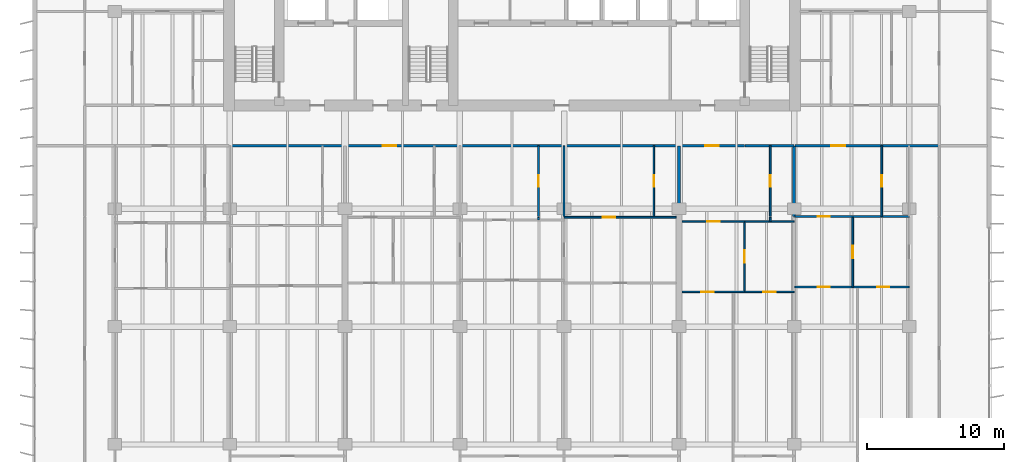
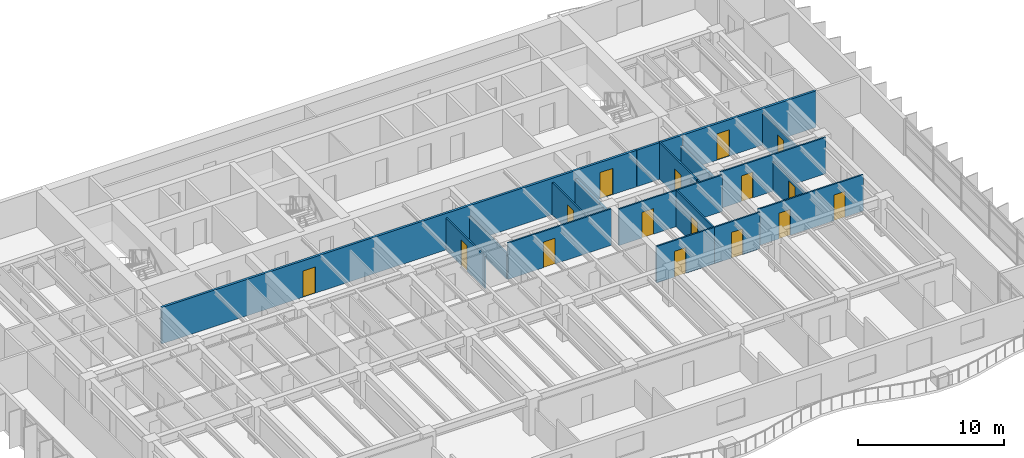
# One storey, part 8 of 15: 21 walls, 16 doors, 16 openings.
"""IFC4 building model written with IfcOpenShell, lengths in metres."""

from ifc_helpers import new_model, si_unit, direction, frame, frame_2d, origin, place, context, subcontext, project, spatial, rectangle, extrude, material, layer, layer_set, type_object, element, fill, save


model = new_model("IFC4")

# Units and contexts
model_context = context("Model", 3, precision=1e-05, world=origin(), true_north=direction((0.0, 1.0)))
body_context = subcontext(model_context, "Body", "Model", "MODEL_VIEW")
ifc_project = project(units=[si_unit("LENGTHUNIT", "METRE"), si_unit("AREAUNIT", "SQUARE_METRE"), si_unit("VOLUMEUNIT", "CUBIC_METRE"), si_unit("PLANEANGLEUNIT", "RADIAN"), si_unit("MASSUNIT", "GRAM", prefix="KILO")], contexts=[model_context])

# Site, building, storey
site_placement = place(None, origin())
site = spatial("IfcSite", under=ifc_project, at=site_placement, CompositionType="ELEMENT")
building_placement = place(site_placement, origin())
building = spatial("IfcBuilding", under=site, at=building_placement, Name="Caelmar Bay Residences", CompositionType="ELEMENT")
storey_placement = place(building_placement, frame((0.0, 0.0, 135.60009765625)))
storey = spatial("IfcBuildingStorey", under=building, at=storey_placement, Name="L37", CompositionType="ELEMENT", Elevation=135.60009765625)

# Wall, openings, doors
ifc_material_1 = material(Name="Double-stud acoustic fire-rated gypsum partition 180 mm")
ifc_layer_1 = layer(ifc_material_1, 0.179931640625)
ifc_layer_set_1 = layer_set([ifc_layer_1], Name="Double-stud acoustic fire-rated gypsum partition 180 mm")
wall_type_1 = type_object("IfcWallType", Name="W-COR-200", PredefinedType="PARTITIONING", material=ifc_layer_set_1)
wall_1_placement = place(storey_placement, frame((18.300048828125, 34.0, 0.0), z_axis=(0.0, 0.0, 1.0), x_axis=(1.0, 0.0, 0.0)))
wall_1 = element("IfcWall", 1, at=wall_1_placement, inside=storey, type_object=wall_type_1, Name="L37 Partition Wall H094", PredefinedType="PARTITIONING", context=body_context, shape_type="SweptSolid", body=[
    extrude(rectangle(XDim=37.5859375, YDim=0.179931640625, at=frame_2d((18.79296875, 0.0))), origin(), (0.0, 0.0, 1.0), 3.0498046875),
])
opening_1_placement = place(wall_1_placement, frame((11.16162109375, 0.0, 0.0)))
opening_1 = element("IfcOpeningElement", 2, at=opening_1_placement, cuts=wall_1, Name="Opening D-L37-131", PredefinedType="OPENING", context=body_context, shape_type="SweptSolid", body=[
    extrude(rectangle(XDim=1.0, YDim=2.199951171875, at=frame_2d((0.5, 1.10009765625))), frame((0.0, 0.099853515625, 0.0), z_axis=(0.0, -1.0, 0.0), x_axis=(1.0, 0.0, 0.0)), (0.0, 0.0, 1.0), 0.199951171875),
])
opening_2_placement = place(wall_1_placement, frame((34.693115234375, 0.0, 0.0)))
opening_2 = element("IfcOpeningElement", 3, at=opening_2_placement, cuts=wall_1, Name="Opening D-L37-146", PredefinedType="OPENING", context=body_context, shape_type="SweptSolid", body=[
    extrude(rectangle(XDim=1.0, YDim=2.199951171875, at=frame_2d((0.5, 1.10009765625))), frame((0.0, 0.099853515625, 0.0), z_axis=(0.0, -1.0, 0.0), x_axis=(1.0, 0.0, 0.0)), (0.0, 0.0, 1.0), 0.199951171875),
])
ifc_material_2 = material(Name="Fire-rated steel and walnut architectural door assembly", Category="steel")
ifc_layer_2 = layer(ifc_material_2, 0.050048828125)
ifc_layer_set_2 = layer_set([ifc_layer_2], Name="Fire-rated steel and walnut architectural door assembly")
door_type_1 = type_object("IfcDoorType", Name="D-UNIT-1000", OperationType="NOTDEFINED", PredefinedType="DOOR", material=ifc_layer_set_2)
door_1_placement = place(opening_1_placement, origin())
door_1 = element("IfcDoor", 4, at=door_1_placement, inside=storey, type_object=door_type_1, Name="L37 Residence 02 Apartment Hall Door", OperationType="SINGLE_SWING_RIGHT", OverallHeight=2.199951171875, OverallWidth=1.0, PredefinedType="DOOR", context=body_context, shape_type="SweptSolid", body=[
    extrude(rectangle(XDim=1.0, YDim=2.199951171875, at=frame_2d((0.5, 1.10009765625))), frame((0.0, 0.02490234375, 0.0), z_axis=(0.0, -1.0, 0.0), x_axis=(1.0, 0.0, 0.0)), (0.0, 0.0, 1.0), 0.050048828125),
])
fill(opening_1, door_1)
door_2_placement = place(opening_2_placement, origin())
door_2 = element("IfcDoor", 5, at=door_2_placement, inside=storey, type_object=door_type_1, Name="L37 Residence 03 Apartment Hall Door", OperationType="SINGLE_SWING_LEFT", OverallHeight=2.199951171875, OverallWidth=1.0, PredefinedType="DOOR", context=body_context, shape_type="SweptSolid", body=[
    extrude(rectangle(XDim=1.0, YDim=2.199951171875, at=frame_2d((0.5, 1.10009765625))), frame((0.0, 0.02490234375, 0.0), z_axis=(0.0, -1.0, 0.0), x_axis=(1.0, 0.0, 0.0)), (0.0, 0.0, 1.0), 0.050048828125),
])
fill(opening_2, door_2)

# Wall
wall_2_placement = place(storey_placement, frame((55.89990234375, 34.0, 0.0), z_axis=(0.0, 0.0, 1.0), x_axis=(1.0, 0.0, 0.0)))
element("IfcWall", 6, at=wall_2_placement, inside=storey, type_object=wall_type_1, Name="L37 Partition Wall H095", PredefinedType="PARTITIONING", context=body_context, shape_type="SweptSolid", body=[
    extrude(rectangle(XDim=3.60009765625, YDim=0.179931640625, at=frame_2d((1.800048828125, 0.0))), origin(), (0.0, 0.0, 1.0), 3.0498046875),
])

# Wall, opening, door
wall_3_placement = place(storey_placement, frame((59.550048828125, 34.0, 0.0), z_axis=(0.0, 0.0, 1.0), x_axis=(1.0, 0.0, 0.0)))
wall_3 = element("IfcWall", 7, at=wall_3_placement, inside=storey, type_object=wall_type_1, Name="L37 Partition Wall H096", PredefinedType="PARTITIONING", context=body_context, shape_type="SweptSolid", body=[
    extrude(rectangle(XDim=10.550048828125, YDim=0.179931640625, at=frame_2d((5.27490234375, 0.0))), origin(), (0.0, 0.0, 1.0), 3.0498046875),
])
opening_3_placement = place(wall_3_placement, frame((2.677001953125, 0.0, 0.0)))
opening_3 = element("IfcOpeningElement", 8, at=opening_3_placement, cuts=wall_3, Name="Opening D-L37-153", PredefinedType="OPENING", context=body_context, shape_type="SweptSolid", body=[
    extrude(rectangle(XDim=1.0, YDim=2.199951171875, at=frame_2d((0.5, 1.10009765625))), frame((0.0, 0.099853515625, 0.0), z_axis=(0.0, -1.0, 0.0), x_axis=(1.0, 0.0, 0.0)), (0.0, 0.0, 1.0), 0.199951171875),
])
door_3_placement = place(opening_3_placement, origin())
door_3 = element("IfcDoor", 9, at=door_3_placement, inside=storey, type_object=door_type_1, Name="L37 Residence 04 Apartment Hall Door", OperationType="SINGLE_SWING_RIGHT", OverallHeight=2.199951171875, OverallWidth=1.0, PredefinedType="DOOR", context=body_context, shape_type="SweptSolid", body=[
    extrude(rectangle(XDim=1.0, YDim=2.199951171875, at=frame_2d((0.5, 1.10009765625))), frame((0.0, 0.02490234375, 0.0), z_axis=(0.0, -1.0, 0.0), x_axis=(1.0, 0.0, 0.0)), (0.0, 0.0, 1.0), 0.050048828125),
])
fill(opening_3, door_3)

# Wall
ifc_material_3 = material(Name="Acoustic metal-stud gypsum partition 120 mm")
ifc_layer_3 = layer(ifc_material_3, 0.1201171875)
ifc_layer_set_3 = layer_set([ifc_layer_3], Name="Acoustic metal-stud gypsum partition 120 mm")
wall_type_2 = type_object("IfcWallType", Name="W-PRT-120", PredefinedType="PARTITIONING", material=ifc_layer_set_3)
wall_4_placement = place(storey_placement, frame((40.8369140625, 28.580078125, 0.0), z_axis=(0.0, 0.0, 1.0), x_axis=(0.0, 1.0, 0.0)))
element("IfcWall", 10, at=wall_4_placement, inside=storey, type_object=wall_type_2, Name="L37 Partition Wall V033", PredefinedType="PARTITIONING", context=body_context, shape_type="SweptSolid", body=[
    extrude(rectangle(XDim=0.199951171875, YDim=0.1201171875, at=frame_2d((0.10009765625, 0.0))), origin(), (0.0, 0.0, 1.0), 2.678955078125),
])

# Wall, opening, door
wall_5_placement = place(storey_placement, frame((40.8369140625, 28.840087890625, 0.0), z_axis=(0.0, 0.0, 1.0), x_axis=(0.0, 1.0, 0.0)))
wall_5 = element("IfcWall", 11, at=wall_5_placement, inside=storey, type_object=wall_type_2, Name="L37 Partition Wall V034", PredefinedType="PARTITIONING", context=body_context, shape_type="SweptSolid", body=[
    extrude(rectangle(XDim=5.159912109375, YDim=0.1201171875, at=frame_2d((2.580078125, 0.0))), origin(), (0.0, 0.0, 1.0), 2.678955078125),
])
opening_4_placement = place(wall_5_placement, frame((2.155029296875, 0.0, 0.0)))
opening_4 = element("IfcOpeningElement", 12, at=opening_4_placement, cuts=wall_5, Name="Opening D-L37-138", PredefinedType="OPENING", context=body_context, shape_type="SweptSolid", body=[
    extrude(rectangle(XDim=0.85009765625, YDim=2.10009765625, at=frame_2d((0.425048828125, 1.050048828125))), frame((0.0, 0.070068359375, 0.0), z_axis=(0.0, -1.0, 0.0), x_axis=(1.0, 0.0, 0.0)), (0.0, 0.0, 1.0), 0.14013671875),
])
ifc_material_4 = material(Name="Solid walnut timber interior door leaf and frame", Category="wood")
ifc_layer_4 = layer(ifc_material_4, 0.050048828125)
ifc_layer_set_4 = layer_set([ifc_layer_4], Name="Solid walnut timber interior door leaf and frame")
door_type_2 = type_object("IfcDoorType", Name="D-BATH-850", OperationType="NOTDEFINED", PredefinedType="DOOR", material=ifc_layer_set_4)
door_4_placement = place(opening_4_placement, origin())
door_4 = element("IfcDoor", 13, at=door_4_placement, inside=storey, type_object=door_type_2, Name="L37 Residence 02 En-Suite Bathroom 1 Door", OperationType="SINGLE_SWING_LEFT", OverallHeight=2.10009765625, OverallWidth=0.85009765625, PredefinedType="DOOR", context=body_context, shape_type="SweptSolid", body=[
    extrude(rectangle(XDim=0.85009765625, YDim=2.10009765625, at=frame_2d((0.425048828125, 1.050048828125))), frame((0.0, 0.02490234375, 0.0), z_axis=(0.0, -1.0, 0.0), x_axis=(1.0, 0.0, 0.0)), (0.0, 0.0, 1.0), 0.050048828125),
])
fill(opening_4, door_4)

# Wall
wall_6_placement = place(storey_placement, frame((42.699951171875, 28.840087890625, 0.0), z_axis=(0.0, 0.0, 1.0), x_axis=(0.0, 1.0, 0.0)))
element("IfcWall", 14, at=wall_6_placement, inside=storey, type_object=wall_type_2, Name="L37 Partition Wall V037", PredefinedType="PARTITIONING", context=body_context, shape_type="SweptSolid", body=[
    extrude(rectangle(XDim=5.159912109375, YDim=0.1201171875, at=frame_2d((2.580078125, 0.0))), origin(), (0.0, 0.0, 1.0), 2.173828125),
])

# Wall, opening, door
wall_7_placement = place(storey_placement, frame((49.260986328125, 28.840087890625, 0.0), z_axis=(0.0, 0.0, 1.0), x_axis=(0.0, 1.0, 0.0)))
wall_7 = element("IfcWall", 15, at=wall_7_placement, inside=storey, type_object=wall_type_2, Name="L37 Partition Wall V041", PredefinedType="PARTITIONING", context=body_context, shape_type="SweptSolid", body=[
    extrude(rectangle(XDim=5.159912109375, YDim=0.1201171875, at=frame_2d((2.580078125, 0.0))), origin(), (0.0, 0.0, 1.0), 2.678955078125),
])
opening_5_placement = place(wall_7_placement, frame((2.155029296875, 0.0, 0.0)))
opening_5 = element("IfcOpeningElement", 16, at=opening_5_placement, cuts=wall_7, Name="Opening D-L37-143", PredefinedType="OPENING", context=body_context, shape_type="SweptSolid", body=[
    extrude(rectangle(XDim=0.85009765625, YDim=2.10009765625, at=frame_2d((0.425048828125, 1.050048828125))), frame((0.0, 0.070068359375, 0.0), z_axis=(0.0, -1.0, 0.0), x_axis=(1.0, 0.0, 0.0)), (0.0, 0.0, 1.0), 0.14013671875),
])
door_5_placement = place(opening_5_placement, origin())
door_5 = element("IfcDoor", 17, at=door_5_placement, inside=storey, type_object=door_type_2, Name="L37 Residence 02 En-Suite Bathroom 2 Door", OperationType="SINGLE_SWING_RIGHT", OverallHeight=2.10009765625, OverallWidth=0.85009765625, PredefinedType="DOOR", context=body_context, shape_type="SweptSolid", body=[
    extrude(rectangle(XDim=0.85009765625, YDim=2.10009765625, at=frame_2d((0.425048828125, 1.050048828125))), frame((0.0, 0.02490234375, 0.0), z_axis=(0.0, -1.0, 0.0), x_axis=(1.0, 0.0, 0.0)), (0.0, 0.0, 1.0), 0.050048828125),
])
fill(opening_5, door_5)

wall_8_placement = place(storey_placement, frame((55.885986328125, 23.330078125, 0.0), z_axis=(0.0, 0.0, 1.0), x_axis=(0.0, 1.0, 0.0)))
wall_8 = element("IfcWall", 18, at=wall_8_placement, inside=storey, type_object=wall_type_2, Name="L37 Partition Wall V050", PredefinedType="PARTITIONING", context=body_context, shape_type="SweptSolid", body=[
    extrude(rectangle(XDim=5.14990234375, YDim=0.1201171875, at=frame_2d((2.574951171875, 0.0))), origin(), (0.0, 0.0, 1.0), 3.0498046875),
])
opening_6_placement = place(wall_8_placement, frame((2.125, 0.0, 0.0)))
opening_6 = element("IfcOpeningElement", 19, at=opening_6_placement, cuts=wall_8, Name="Opening D-L37-149", PredefinedType="OPENING", context=body_context, shape_type="SweptSolid", body=[
    extrude(rectangle(XDim=0.89990234375, YDim=2.14990234375, at=frame_2d((0.449951171875, 1.074951171875))), frame((0.0, 0.070068359375, 0.0), z_axis=(0.0, -1.0, 0.0), x_axis=(1.0, 0.0, 0.0)), (0.0, 0.0, 1.0), 0.14013671875),
])
ifc_layer_5 = layer(ifc_material_4, 0.050048828125)
ifc_layer_set_5 = layer_set([ifc_layer_5], Name="Solid walnut timber interior door leaf and frame")
door_type_3 = type_object("IfcDoorType", Name="D-ROOM-900", OperationType="NOTDEFINED", PredefinedType="DOOR", material=ifc_layer_set_5)
door_6_placement = place(opening_6_placement, origin())
door_6 = element("IfcDoor", 20, at=door_6_placement, inside=storey, type_object=door_type_3, Name="L37 Residence 03 Private Reception Salon Door", OperationType="SINGLE_SWING_RIGHT", OverallHeight=2.14990234375, OverallWidth=0.89990234375, PredefinedType="DOOR", context=body_context, shape_type="SweptSolid", body=[
    extrude(rectangle(XDim=0.89990234375, YDim=2.14990234375, at=frame_2d((0.449951171875, 1.074951171875))), frame((0.0, 0.02490234375, 0.0), z_axis=(0.0, -1.0, 0.0), x_axis=(1.0, 0.0, 0.0)), (0.0, 0.0, 1.0), 0.050048828125),
])
fill(opening_6, door_6)

# Wall
wall_9_placement = place(storey_placement, frame((57.760986328125, 28.47998046875, 0.0), z_axis=(0.0, 0.0, 1.0), x_axis=(0.0, 1.0, 0.0)))
element("IfcWall", 21, at=wall_9_placement, inside=storey, type_object=wall_type_2, Name="L37 Partition Wall V052", PredefinedType="PARTITIONING", context=body_context, shape_type="SweptSolid", body=[
    extrude(rectangle(XDim=0.300048828125, YDim=0.1201171875, at=frame_2d((0.14990234375, 0.0))), origin(), (0.0, 0.0, 1.0), 3.0498046875),
])

# Wall, opening, door
wall_10_placement = place(storey_placement, frame((57.760986328125, 28.840087890625, 0.0), z_axis=(0.0, 0.0, 1.0), x_axis=(0.0, 1.0, 0.0)))
wall_10 = element("IfcWall", 22, at=wall_10_placement, inside=storey, type_object=wall_type_2, Name="L37 Partition Wall V053", PredefinedType="PARTITIONING", context=body_context, shape_type="SweptSolid", body=[
    extrude(rectangle(XDim=5.159912109375, YDim=0.1201171875, at=frame_2d((2.580078125, 0.0))), origin(), (0.0, 0.0, 1.0), 3.0498046875),
])
opening_7_placement = place(wall_10_placement, frame((2.155029296875, 0.0, 0.0)))
opening_7 = element("IfcOpeningElement", 23, at=opening_7_placement, cuts=wall_10, Name="Opening D-L37-147", PredefinedType="OPENING", context=body_context, shape_type="SweptSolid", body=[
    extrude(rectangle(XDim=0.85009765625, YDim=2.10009765625, at=frame_2d((0.425048828125, 1.050048828125))), frame((0.0, 0.070068359375, 0.0), z_axis=(0.0, -1.0, 0.0), x_axis=(1.0, 0.0, 0.0)), (0.0, 0.0, 1.0), 0.14013671875),
])
door_7_placement = place(opening_7_placement, origin())
door_7 = element("IfcDoor", 24, at=door_7_placement, inside=storey, type_object=door_type_2, Name="L37 Residence 03 Bathroom Door", OperationType="SINGLE_SWING_RIGHT", OverallHeight=2.10009765625, OverallWidth=0.85009765625, PredefinedType="DOOR", context=body_context, shape_type="SweptSolid", body=[
    extrude(rectangle(XDim=0.85009765625, YDim=2.10009765625, at=frame_2d((0.425048828125, 1.050048828125))), frame((0.0, 0.02490234375, 0.0), z_axis=(0.0, -1.0, 0.0), x_axis=(1.0, 0.0, 0.0)), (0.0, 0.0, 1.0), 0.050048828125),
])
fill(opening_7, door_7)

wall_11_placement = place(storey_placement, frame((63.785888671875, 23.68994140625, 0.0), z_axis=(0.0, 0.0, 1.0), x_axis=(0.0, 1.0, 0.0)))
wall_11 = element("IfcWall", 25, at=wall_11_placement, inside=storey, type_object=wall_type_2, Name="L37 Partition Wall V058", PredefinedType="PARTITIONING", context=body_context, shape_type="SweptSolid", body=[
    extrude(rectangle(XDim=5.090087890625, YDim=0.1201171875, at=frame_2d((2.544921875, 0.0))), origin(), (0.0, 0.0, 1.0), 2.48583984375),
])
opening_8_placement = place(wall_11_placement, frame((2.094970703125, 0.0, 0.0)))
opening_8 = element("IfcOpeningElement", 26, at=opening_8_placement, cuts=wall_11, Name="Opening D-L37-156", PredefinedType="OPENING", context=body_context, shape_type="SweptSolid", body=[
    extrude(rectangle(XDim=0.89990234375, YDim=2.14990234375, at=frame_2d((0.449951171875, 1.074951171875))), frame((0.0, 0.070068359375, 0.0), z_axis=(0.0, -1.0, 0.0), x_axis=(1.0, 0.0, 0.0)), (0.0, 0.0, 1.0), 0.14013671875),
])
door_8_placement = place(opening_8_placement, origin())
door_8 = element("IfcDoor", 27, at=door_8_placement, inside=storey, type_object=door_type_3, Name="L37 Residence 04 Private Reception Salon Door", OperationType="SINGLE_SWING_LEFT", OverallHeight=2.14990234375, OverallWidth=0.89990234375, PredefinedType="DOOR", context=body_context, shape_type="SweptSolid", body=[
    extrude(rectangle(XDim=0.89990234375, YDim=2.14990234375, at=frame_2d((0.449951171875, 1.074951171875))), frame((0.0, 0.02490234375, 0.0), z_axis=(0.0, -1.0, 0.0), x_axis=(1.0, 0.0, 0.0)), (0.0, 0.0, 1.0), 0.050048828125),
])
fill(opening_8, door_8)

wall_12_placement = place(storey_placement, frame((65.904052734375, 28.840087890625, 0.0), z_axis=(0.0, 0.0, 1.0), x_axis=(0.0, 1.0, 0.0)))
wall_12 = element("IfcWall", 28, at=wall_12_placement, inside=storey, type_object=wall_type_2, Name="L37 Partition Wall V061", PredefinedType="PARTITIONING", context=body_context, shape_type="SweptSolid", body=[
    extrude(rectangle(XDim=5.159912109375, YDim=0.1201171875, at=frame_2d((2.580078125, 0.0))), origin(), (0.0, 0.0, 1.0), 2.678955078125),
])
opening_9_placement = place(wall_12_placement, frame((2.155029296875, 0.0, 0.0)))
opening_9 = element("IfcOpeningElement", 29, at=opening_9_placement, cuts=wall_12, Name="Opening D-L37-154", PredefinedType="OPENING", context=body_context, shape_type="SweptSolid", body=[
    extrude(rectangle(XDim=0.85009765625, YDim=2.10009765625, at=frame_2d((0.425048828125, 1.050048828125))), frame((0.0, 0.070068359375, 0.0), z_axis=(0.0, -1.0, 0.0), x_axis=(1.0, 0.0, 0.0)), (0.0, 0.0, 1.0), 0.14013671875),
])
door_9_placement = place(opening_9_placement, origin())
door_9 = element("IfcDoor", 30, at=door_9_placement, inside=storey, type_object=door_type_2, Name="L37 Residence 04 Bathroom Door", OperationType="SINGLE_SWING_LEFT", OverallHeight=2.10009765625, OverallWidth=0.85009765625, PredefinedType="DOOR", context=body_context, shape_type="SweptSolid", body=[
    extrude(rectangle(XDim=0.85009765625, YDim=2.10009765625, at=frame_2d((0.425048828125, 1.050048828125))), frame((0.0, 0.02490234375, 0.0), z_axis=(0.0, -1.0, 0.0), x_axis=(1.0, 0.0, 0.0)), (0.0, 0.0, 1.0), 0.050048828125),
])
fill(opening_9, door_9)

wall_13_placement = place(storey_placement, frame((51.320068359375, 23.330078125, 0.0), z_axis=(0.0, 0.0, 1.0), x_axis=(1.0, 0.0, 0.0)))
wall_13 = element("IfcWall", 31, at=wall_13_placement, inside=storey, type_object=wall_type_2, Name="L37 Partition Wall H076", PredefinedType="PARTITIONING", context=body_context, shape_type="SweptSolid", body=[
    extrude(rectangle(XDim=4.56591796875, YDim=0.1201171875, at=frame_2d((2.282958984375, 0.0))), origin(), (0.0, 0.0, 1.0), 3.0498046875),
])
opening_10_placement = place(wall_13_placement, frame((1.4140625, 0.0, 0.0)))
opening_10 = element("IfcOpeningElement", 32, at=opening_10_placement, cuts=wall_13, Name="Opening D-L37-150", PredefinedType="OPENING", context=body_context, shape_type="SweptSolid", body=[
    extrude(rectangle(XDim=0.89990234375, YDim=2.14990234375, at=frame_2d((0.449951171875, 1.074951171875))), frame((0.0, 0.070068359375, 0.0), z_axis=(0.0, -1.0, 0.0), x_axis=(1.0, 0.0, 0.0)), (0.0, 0.0, 1.0), 0.14013671875),
])
door_10_placement = place(opening_10_placement, origin())
door_10 = element("IfcDoor", 33, at=door_10_placement, inside=storey, type_object=door_type_3, Name="L37 Residence 03 Living Room Door", OperationType="SINGLE_SWING_LEFT", OverallHeight=2.14990234375, OverallWidth=0.89990234375, PredefinedType="DOOR", context=body_context, shape_type="SweptSolid", body=[
    extrude(rectangle(XDim=0.89990234375, YDim=2.14990234375, at=frame_2d((0.449951171875, 1.074951171875))), frame((0.0, 0.02490234375, 0.0), z_axis=(0.0, -1.0, 0.0), x_axis=(1.0, 0.0, 0.0)), (0.0, 0.0, 1.0), 0.050048828125),
])
fill(opening_10, door_10)

wall_14_placement = place(storey_placement, frame((55.89990234375, 23.330078125, 0.0), z_axis=(0.0, 0.0, 1.0), x_axis=(1.0, 0.0, 0.0)))
wall_14 = element("IfcWall", 34, at=wall_14_placement, inside=storey, type_object=wall_type_2, Name="L37 Partition Wall H077", PredefinedType="PARTITIONING", context=body_context, shape_type="SweptSolid", body=[
    extrude(rectangle(XDim=3.60009765625, YDim=0.1201171875, at=frame_2d((1.800048828125, 0.0))), origin(), (0.0, 0.0, 1.0), 3.0498046875),
])
opening_11_placement = place(wall_14_placement, frame((1.35009765625, 0.0, 0.0)))
opening_11 = element("IfcOpeningElement", 35, at=opening_11_placement, cuts=wall_14, Name="Opening D-L37-151", PredefinedType="OPENING", context=body_context, shape_type="SweptSolid", body=[
    extrude(rectangle(XDim=0.89990234375, YDim=2.14990234375, at=frame_2d((0.449951171875, 1.074951171875))), frame((0.0, 0.070068359375, 0.0), z_axis=(0.0, -1.0, 0.0), x_axis=(1.0, 0.0, 0.0)), (0.0, 0.0, 1.0), 0.14013671875),
])
door_11_placement = place(opening_11_placement, origin())
door_11 = element("IfcDoor", 36, at=door_11_placement, inside=storey, type_object=door_type_3, Name="L37 Residence 03 Penthouse Sitting Room Door", OperationType="SINGLE_SWING_RIGHT", OverallHeight=2.14990234375, OverallWidth=0.89990234375, PredefinedType="DOOR", context=body_context, shape_type="SweptSolid", body=[
    extrude(rectangle(XDim=0.89990234375, YDim=2.14990234375, at=frame_2d((0.449951171875, 1.074951171875))), frame((0.0, 0.02490234375, 0.0), z_axis=(0.0, -1.0, 0.0), x_axis=(1.0, 0.0, 0.0)), (0.0, 0.0, 1.0), 0.050048828125),
])
fill(opening_11, door_11)

# Wall, openings, doors
wall_15_placement = place(storey_placement, frame((59.550048828125, 23.68994140625, 0.0), z_axis=(0.0, 0.0, 1.0), x_axis=(1.0, 0.0, 0.0)))
wall_15 = element("IfcWall", 37, at=wall_15_placement, inside=storey, type_object=wall_type_2, Name="L37 Partition Wall H079", PredefinedType="PARTITIONING", context=body_context, shape_type="SweptSolid", body=[
    extrude(rectangle(XDim=8.349853515625, YDim=0.1201171875, at=frame_2d((4.1748046875, 0.0))), origin(), (0.0, 0.0, 1.0), 3.0498046875),
])
opening_12_placement = place(wall_15_placement, frame((1.66796875, 0.0, 0.0)))
opening_12 = element("IfcOpeningElement", 38, at=opening_12_placement, cuts=wall_15, Name="Opening D-L37-157", PredefinedType="OPENING", context=body_context, shape_type="SweptSolid", body=[
    extrude(rectangle(XDim=0.89990234375, YDim=2.14990234375, at=frame_2d((0.449951171875, 1.074951171875))), frame((0.0, 0.070068359375, 0.0), z_axis=(0.0, -1.0, 0.0), x_axis=(1.0, 0.0, 0.0)), (0.0, 0.0, 1.0), 0.14013671875),
])
opening_13_placement = place(wall_15_placement, frame((6.010009765625, 0.0, 0.0)))
opening_13 = element("IfcOpeningElement", 39, at=opening_13_placement, cuts=wall_15, Name="Opening D-L37-158", PredefinedType="OPENING", context=body_context, shape_type="SweptSolid", body=[
    extrude(rectangle(XDim=0.89990234375, YDim=2.14990234375, at=frame_2d((0.449951171875, 1.074951171875))), frame((0.0, 0.070068359375, 0.0), z_axis=(0.0, -1.0, 0.0), x_axis=(1.0, 0.0, 0.0)), (0.0, 0.0, 1.0), 0.14013671875),
])
door_12_placement = place(opening_12_placement, origin())
door_12 = element("IfcDoor", 40, at=door_12_placement, inside=storey, type_object=door_type_3, Name="L37 Residence 04 Penthouse Living Salon Door", OperationType="SINGLE_SWING_RIGHT", OverallHeight=2.14990234375, OverallWidth=0.89990234375, PredefinedType="DOOR", context=body_context, shape_type="SweptSolid", body=[
    extrude(rectangle(XDim=0.89990234375, YDim=2.14990234375, at=frame_2d((0.449951171875, 1.074951171875))), frame((0.0, 0.02490234375, 0.0), z_axis=(0.0, -1.0, 0.0), x_axis=(1.0, 0.0, 0.0)), (0.0, 0.0, 1.0), 0.050048828125),
])
fill(opening_12, door_12)
door_13_placement = place(opening_13_placement, origin())
door_13 = element("IfcDoor", 41, at=door_13_placement, inside=storey, type_object=door_type_3, Name="L37 Residence 04 Penthouse Sitting Room Door", OperationType="SINGLE_SWING_LEFT", OverallHeight=2.14990234375, OverallWidth=0.89990234375, PredefinedType="DOOR", context=body_context, shape_type="SweptSolid", body=[
    extrude(rectangle(XDim=0.89990234375, YDim=2.14990234375, at=frame_2d((0.449951171875, 1.074951171875))), frame((0.0, 0.02490234375, 0.0), z_axis=(0.0, -1.0, 0.0), x_axis=(1.0, 0.0, 0.0)), (0.0, 0.0, 1.0), 0.050048828125),
])
fill(opening_13, door_13)

# Wall, opening, door
wall_16_placement = place(storey_placement, frame((51.320068359375, 28.47998046875, 0.0), z_axis=(0.0, 0.0, 1.0), x_axis=(1.0, 0.0, 0.0)))
wall_16 = element("IfcWall", 42, at=wall_16_placement, inside=storey, type_object=wall_type_2, Name="L37 Partition Wall H086", PredefinedType="PARTITIONING", context=body_context, shape_type="SweptSolid", body=[
    extrude(rectangle(XDim=4.56591796875, YDim=0.1201171875, at=frame_2d((2.282958984375, 0.0))), origin(), (0.0, 0.0, 1.0), 3.0498046875),
])
opening_14_placement = place(wall_16_placement, frame((1.8330078125, 0.0, 0.0)))
opening_14 = element("IfcOpeningElement", 43, at=opening_14_placement, cuts=wall_16, Name="Opening D-L37-148", PredefinedType="OPENING", context=body_context, shape_type="SweptSolid", body=[
    extrude(rectangle(XDim=0.89990234375, YDim=2.14990234375, at=frame_2d((0.449951171875, 1.074951171875))), frame((0.0, 0.070068359375, 0.0), z_axis=(0.0, -1.0, 0.0), x_axis=(1.0, 0.0, 0.0)), (0.0, 0.0, 1.0), 0.14013671875),
])
door_14_placement = place(opening_14_placement, origin())
door_14 = element("IfcDoor", 44, at=door_14_placement, inside=storey, type_object=door_type_3, Name="L37 Residence 03 Kitchen Door", OperationType="SINGLE_SWING_LEFT", OverallHeight=2.14990234375, OverallWidth=0.89990234375, PredefinedType="DOOR", context=body_context, shape_type="SweptSolid", body=[
    extrude(rectangle(XDim=0.89990234375, YDim=2.14990234375, at=frame_2d((0.449951171875, 1.074951171875))), frame((0.0, 0.02490234375, 0.0), z_axis=(0.0, -1.0, 0.0), x_axis=(1.0, 0.0, 0.0)), (0.0, 0.0, 1.0), 0.050048828125),
])
fill(opening_14, door_14)

# Wall
wall_17_placement = place(storey_placement, frame((55.89990234375, 28.47998046875, 0.0), z_axis=(0.0, 0.0, 1.0), x_axis=(1.0, 0.0, 0.0)))
element("IfcWall", 45, at=wall_17_placement, inside=storey, type_object=wall_type_2, Name="L37 Partition Wall H087", PredefinedType="PARTITIONING", context=body_context, shape_type="SweptSolid", body=[
    extrude(rectangle(XDim=3.60009765625, YDim=0.1201171875, at=frame_2d((1.800048828125, 0.0))), origin(), (0.0, 0.0, 1.0), 3.0498046875),
])

# Wall, opening, door
wall_18_placement = place(storey_placement, frame((42.699951171875, 28.780029296875, 0.0), z_axis=(0.0, 0.0, 1.0), x_axis=(1.0, 0.0, 0.0)))
wall_18 = element("IfcWall", 46, at=wall_18_placement, inside=storey, type_object=wall_type_2, Name="L37 Partition Wall H090", PredefinedType="PARTITIONING", context=body_context, shape_type="SweptSolid", body=[
    extrude(rectangle(XDim=8.179931640625, YDim=0.1201171875, at=frame_2d((4.08984375, 0.0))), origin(), (0.0, 0.0, 1.0), 3.0498046875),
])
opening_15_placement = place(wall_18_placement, frame((2.83056640625, 0.0, 0.0)))
opening_15 = element("IfcOpeningElement", 47, at=opening_15_placement, cuts=wall_18, Name="Opening D-L37-142", PredefinedType="OPENING", context=body_context, shape_type="SweptSolid", body=[
    extrude(rectangle(XDim=0.89990234375, YDim=2.14990234375, at=frame_2d((0.449951171875, 1.074951171875))), frame((0.0, 0.070068359375, 0.0), z_axis=(0.0, -1.0, 0.0), x_axis=(1.0, 0.0, 0.0)), (0.0, 0.0, 1.0), 0.14013671875),
])
door_15_placement = place(opening_15_placement, origin())
door_15 = element("IfcDoor", 48, at=door_15_placement, inside=storey, type_object=door_type_3, Name="L37 Residence 02 Private Reception Room 2 Door", OperationType="SINGLE_SWING_LEFT", OverallHeight=2.14990234375, OverallWidth=0.89990234375, PredefinedType="DOOR", context=body_context, shape_type="SweptSolid", body=[
    extrude(rectangle(XDim=0.89990234375, YDim=2.14990234375, at=frame_2d((0.449951171875, 1.074951171875))), frame((0.0, 0.02490234375, 0.0), z_axis=(0.0, -1.0, 0.0), x_axis=(1.0, 0.0, 0.0)), (0.0, 0.0, 1.0), 0.050048828125),
])
fill(opening_15, door_15)

wall_19_placement = place(storey_placement, frame((59.550048828125, 28.840087890625, 0.0), z_axis=(0.0, 0.0, 1.0), x_axis=(1.0, 0.0, 0.0)))
wall_19 = element("IfcWall", 49, at=wall_19_placement, inside=storey, type_object=wall_type_2, Name="L37 Partition Wall H091", PredefinedType="PARTITIONING", context=body_context, shape_type="SweptSolid", body=[
    extrude(rectangle(XDim=8.349853515625, YDim=0.1201171875, at=frame_2d((4.1748046875, 0.0))), origin(), (0.0, 0.0, 1.0), 3.0498046875),
])
opening_16_placement = place(wall_19_placement, frame((1.66796875, 0.0, 0.0)))
opening_16 = element("IfcOpeningElement", 50, at=opening_16_placement, cuts=wall_19, Name="Opening D-L37-155", PredefinedType="OPENING", context=body_context, shape_type="SweptSolid", body=[
    extrude(rectangle(XDim=0.89990234375, YDim=2.14990234375, at=frame_2d((0.449951171875, 1.074951171875))), frame((0.0, 0.070068359375, 0.0), z_axis=(0.0, -1.0, 0.0), x_axis=(1.0, 0.0, 0.0)), (0.0, 0.0, 1.0), 0.14013671875),
])
door_16_placement = place(opening_16_placement, origin())
door_16 = element("IfcDoor", 51, at=door_16_placement, inside=storey, type_object=door_type_3, Name="L37 Residence 04 Kitchen Door", OperationType="SINGLE_SWING_RIGHT", OverallHeight=2.14990234375, OverallWidth=0.89990234375, PredefinedType="DOOR", context=body_context, shape_type="SweptSolid", body=[
    extrude(rectangle(XDim=0.89990234375, YDim=2.14990234375, at=frame_2d((0.449951171875, 1.074951171875))), frame((0.0, 0.02490234375, 0.0), z_axis=(0.0, -1.0, 0.0), x_axis=(1.0, 0.0, 0.0)), (0.0, 0.0, 1.0), 0.050048828125),
])
fill(opening_16, door_16)

# Walls
ifc_material_5 = material(Name="Acoustic twin-stud fire-rated inter-tenancy partition 200 mm")
ifc_layer_6 = layer(ifc_material_5, 0.199951171875)
ifc_layer_set_6 = layer_set([ifc_layer_6], Name="Acoustic twin-stud fire-rated inter-tenancy partition 200 mm")
wall_type_3 = type_object("IfcWallType", Name="W-PTY-200", PredefinedType="PARTITIONING", material=ifc_layer_set_6)
wall_20_placement = place(storey_placement, frame((51.10009765625, 29.405029296875, 0.0), z_axis=(0.0, 0.0, 1.0), x_axis=(0.0, 1.0, 0.0)))
element("IfcWall", 52, at=wall_20_placement, inside=storey, type_object=wall_type_3, Name="L37 Partition Wall V046", PredefinedType="PARTITIONING", context=body_context, shape_type="SweptSolid", body=[
    extrude(rectangle(XDim=4.594970703125, YDim=0.199951171875, at=frame_2d((2.29736328125, 0.0))), origin(), (0.0, 0.0, 1.0), 2.3349609375),
])
wall_21_placement = place(storey_placement, frame((59.5, 28.840087890625, 0.0), z_axis=(0.0, 0.0, 1.0), x_axis=(0.0, 1.0, 0.0)))
element("IfcWall", 53, at=wall_21_placement, inside=storey, type_object=wall_type_3, Name="L37 Partition Wall V056", PredefinedType="PARTITIONING", context=body_context, shape_type="SweptSolid", body=[
    extrude(rectangle(XDim=5.159912109375, YDim=0.199951171875, at=frame_2d((2.580078125, 0.0))), origin(), (0.0, 0.0, 1.0), 2.173828125),
])

save(model, "model.ifc")
